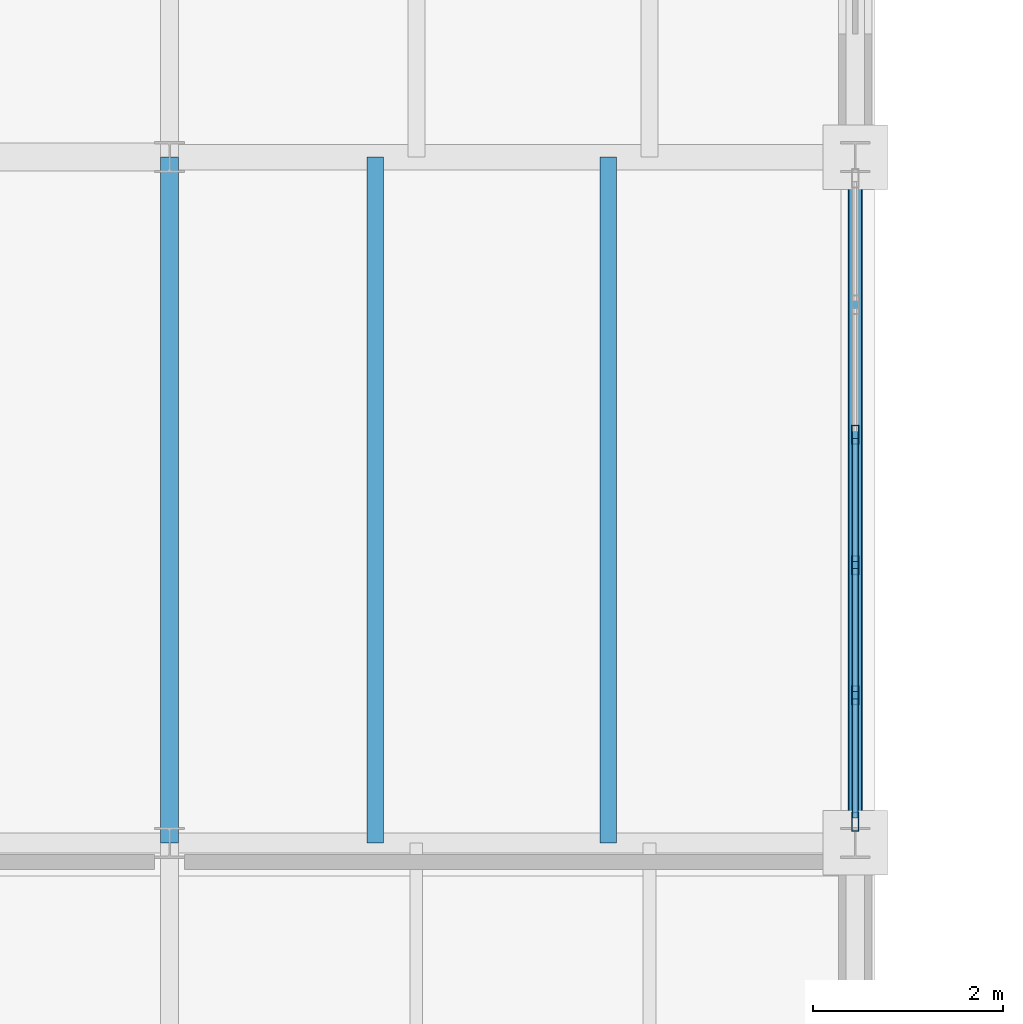
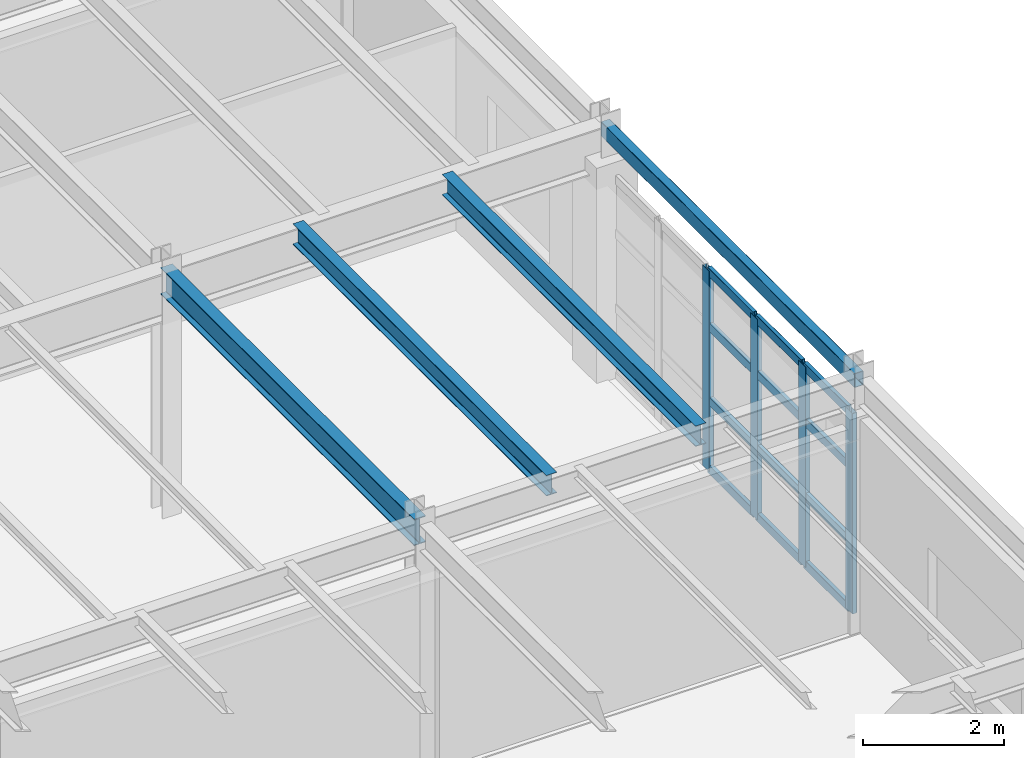
# One storey, part 37 of 137: 16 members, 4 beams, 1 element without a shape of its own.
"""IFC4 building model written with IfcOpenShell, lengths in metres."""

from ifc_helpers import new_model, si_unit, direction, frame, origin, origin_2d, place, context, subcontext, project, spatial, hollow_rectangle, i_section, extrude, material, layer, layer_set, material_profile, profile_set, type_object, element, aggregate, save


model = new_model("IFC4")

# Units and contexts
model_context = context("Model", 3, precision=1e-05, world=origin(), true_north=direction((0.0, 1.0)))
body_context = subcontext(model_context, "Body", "Model", "MODEL_VIEW")
ifc_project = project(units=[si_unit("LENGTHUNIT", "METRE"), si_unit("AREAUNIT", "SQUARE_METRE"), si_unit("VOLUMEUNIT", "CUBIC_METRE"), si_unit("PLANEANGLEUNIT", "RADIAN"), si_unit("MASSUNIT", "GRAM", prefix="KILO")], contexts=[model_context])

# Site, building, storey
site_placement = place(None, origin())
site = spatial("IfcSite", under=ifc_project, at=site_placement, CompositionType="ELEMENT")
building_placement = place(site_placement, origin())
building = spatial("IfcBuilding", under=site, at=building_placement, Name="Kemerveld Promenade Tramway Depot", CompositionType="ELEMENT")
storey_placement = place(building_placement, frame((0.0, 0.0, 5.39990234375)))
storey = spatial("IfcBuildingStorey", under=building, at=storey_placement, Name="L01", CompositionType="ELEMENT", Elevation=5.39990234375)

# Beams
ifc_material_1 = material(Name="Steel S355", Category="steel")
ifc_material_profile_1 = material_profile(ifc_material_1, i_section(OverallWidth=0.19140625, OverallDepth=0.4599609375, WebThickness=0.010009765625, FlangeThickness=0.01611328125, FilletRadius=0.01025390625, at=origin_2d()), Name="457x191x82 UB")
ifc_profile_set_1 = profile_set([ifc_material_profile_1], Name="Steel S355")
beam_type_1 = type_object("IfcBeamType", Name="BM-G06", PredefinedType="BEAM", material=ifc_profile_set_1)
beam_1_placement = place(storey_placement, frame((50.39990234375, 43.199951171875, 4.030029296875), z_axis=(0.0, 1.0, 0.0), x_axis=(-1.0, 0.0, 0.0)))
element("IfcBeam", 1, at=beam_1_placement, inside=storey, type_object=beam_type_1, Name="BMY-L01-08-G-H", PredefinedType="BEAM", context=body_context, shape_type="SweptSolid", body=[
    extrude(i_section(OverallWidth=0.19140625, OverallDepth=0.4599609375, WebThickness=0.010009765625, FlangeThickness=0.01611328125, FilletRadius=0.01025390625, at=origin_2d()), origin(), (0.0, 0.0, 1.0), 7.199951171875),
])
ifc_material_profile_2 = material_profile(ifc_material_1, i_section(OverallWidth=0.172119140625, OverallDepth=0.35791015625, WebThickness=0.008056640625, FlangeThickness=0.012939453125, FilletRadius=0.01025390625, at=origin_2d()), Name="356x171x57 UB")
ifc_profile_set_2 = profile_set([ifc_material_profile_2], Name="Steel S355")
beam_type_2 = type_object("IfcBeamType", Name="BM-J04", PredefinedType="JOIST", material=ifc_profile_set_2)
for number, where, z_axis, x_axis, name in (
    (2, (52.56005859375, 43.199951171875, 4.0810546875), (0.0, 1.0, 0.0), (-1.0, 0.0, 0.0), "JST-L01-08-G-1"),
    (3, (55.008056640625, 43.199951171875, 4.0810546875), (0.0, 1.0, 0.0), (-1.0, 0.0, 0.0), "JST-L01-08-G-2"),
):
    element("IfcBeam", number, at=place(storey_placement, frame(where, z_axis=z_axis, x_axis=x_axis)), inside=storey, type_object=beam_type_2, Name=name, PredefinedType="JOIST", context=body_context, shape_type="SweptSolid", body=[
        extrude(i_section(OverallWidth=0.172119140625, OverallDepth=0.35791015625, WebThickness=0.008056640625, FlangeThickness=0.012939453125, FilletRadius=0.01025390625, at=origin_2d()), origin(), (0.0, 0.0, 1.0), 7.199951171875),
    ])
ifc_material_profile_3 = material_profile(ifc_material_1, hollow_rectangle(XDim=0.14990234375, YDim=0.25, WallThickness=0.010009765625, InnerFilletRadius=0.0048828125, OuterFilletRadius=0.014892578125, at=origin_2d()), Name="250x150x10.0 RHS")
ifc_profile_set_3 = profile_set([ifc_material_profile_3], Name="Steel S355")
beam_type_3 = type_object("IfcBeamType", Name="BM-SP2", PredefinedType="SPANDREL", material=ifc_profile_set_3)
beam_2_placement = place(storey_placement, frame((57.60009765625, 43.199951171875, 4.135009765625), z_axis=(0.0, 1.0, 0.0), x_axis=(-1.0, 0.0, 0.0)))
element("IfcBeam", 4, at=beam_2_placement, inside=storey, type_object=beam_type_3, Name="BMY-L01-09-G-H", PredefinedType="SPANDREL", context=body_context, shape_type="SweptSolid", body=[
    extrude(hollow_rectangle(XDim=0.14990234375, YDim=0.25, WallThickness=0.010009765625, InnerFilletRadius=0.0048828125, OuterFilletRadius=0.014892578125, at=origin_2d()), origin(), (0.0, 0.0, 1.0), 7.199951171875),
])

# Curtain wall, members
ifc_material_2 = material(Name="Bronze anodised aluminium and solar glass", Category="aluminium")
ifc_layer = layer(ifc_material_2, 0.199951171875)
ifc_layer_set = layer_set([ifc_layer], Name="CW-SYS-08")
curtain_wall_type = type_object("IfcCurtainWallType", Name="CW-SYS-08", PredefinedType="USERDEFINED", material=ifc_layer_set)
curtain_wall_placement = place(storey_placement, origin())
curtain_wall = element("IfcCurtainWall", 5, at=curtain_wall_placement, inside=storey, type_object=curtain_wall_type, Name="CW-L01-V5E-05", ObjectType="GLAZED_CURTAIN_WALL", PredefinedType="USERDEFINED")
ifc_material_3 = material(Name="Bronze anodised aluminium", Category="aluminium")
ifc_material_profile_4 = material_profile(ifc_material_3, hollow_rectangle(XDim=0.074951171875, YDim=0.199951171875, WallThickness=0.0048828125, InnerFilletRadius=0.001953125, OuterFilletRadius=0.0048828125, at=origin_2d()), Name="CW-MUL-200x75")
ifc_profile_set_4 = profile_set([ifc_material_profile_4], Name="Bronze anodised aluminium")
member_type_1 = type_object("IfcMemberType", Name="CW-MUL-B", PredefinedType="MULLION", material=ifc_profile_set_4)
member_1_placement = place(storey_placement, frame((57.60009765625, 47.4833984375, 0.0), z_axis=(0.0, 0.0, 1.0), x_axis=(1.0, 0.0, 0.0)))
member_1 = element("IfcMember", 6, at=member_1_placement, type_object=member_type_1, Name="CW08 mullion 3", PredefinedType="MULLION", context=body_context, shape_type="SweptSolid", body=[
    extrude(hollow_rectangle(XDim=0.074951171875, YDim=0.199951171875, WallThickness=0.0048828125, InnerFilletRadius=0.001953125, OuterFilletRadius=0.0048828125, at=origin_2d()), origin(), (0.0, 0.0, 1.0), 3.477783203125),
])
member_2_placement = place(storey_placement, frame((57.60009765625, 46.11669921875, 0.0), z_axis=(0.0, 0.0, 1.0), x_axis=(1.0, 0.0, 0.0)))
member_2 = element("IfcMember", 7, at=member_2_placement, type_object=member_type_1, Name="CW08 mullion 4", PredefinedType="MULLION", context=body_context, shape_type="SweptSolid", body=[
    extrude(hollow_rectangle(XDim=0.074951171875, YDim=0.199951171875, WallThickness=0.0048828125, InnerFilletRadius=0.001953125, OuterFilletRadius=0.0048828125, at=origin_2d()), origin(), (0.0, 0.0, 1.0), 3.477783203125),
])
member_3_placement = place(storey_placement, frame((57.60009765625, 44.75, 0.0), z_axis=(0.0, 0.0, 1.0), x_axis=(1.0, 0.0, 0.0)))
member_3 = element("IfcMember", 8, at=member_3_placement, type_object=member_type_1, Name="CW08 mullion 5", PredefinedType="MULLION", context=body_context, shape_type="SweptSolid", body=[
    extrude(hollow_rectangle(XDim=0.074951171875, YDim=0.199951171875, WallThickness=0.0048828125, InnerFilletRadius=0.001953125, OuterFilletRadius=0.0048828125, at=origin_2d()), origin(), (0.0, 0.0, 1.0), 3.477783203125),
])
member_4_placement = place(storey_placement, frame((57.60009765625, 43.4208984375, 0.0), z_axis=(0.0, 0.0, 1.0), x_axis=(1.0, 0.0, 0.0)))
member_4 = element("IfcMember", 9, at=member_4_placement, type_object=member_type_1, Name="CW08 mullion 6", PredefinedType="MULLION", context=body_context, shape_type="SweptSolid", body=[
    extrude(hollow_rectangle(XDim=0.074951171875, YDim=0.199951171875, WallThickness=0.0048828125, InnerFilletRadius=0.001953125, OuterFilletRadius=0.0048828125, at=origin_2d()), origin(), (0.0, 0.0, 1.0), 3.477783203125),
])
ifc_material_profile_5 = material_profile(ifc_material_3, hollow_rectangle(XDim=0.06494140625, YDim=0.14990234375, WallThickness=0.00439453125, InnerFilletRadius=0.001953125, OuterFilletRadius=0.00439453125, at=origin_2d()), Name="CW-TRN-150x65")
ifc_profile_set_5 = profile_set([ifc_material_profile_5], Name="Bronze anodised aluminium")
member_type_2 = type_object("IfcMemberType", Name="CW-TRN-B", PredefinedType="USERDEFINED", material=ifc_profile_set_5)
member_5_placement = place(storey_placement, frame((57.60009765625, 47.44580078125, 0.03271484375), z_axis=(0.0, -1.0, 0.0), x_axis=(1.0, 0.0, 0.0)))
member_5 = element("IfcMember", 10, at=member_5_placement, type_object=member_type_2, Name="CW08 transom 3.1", ObjectType="TRANSOM", PredefinedType="USERDEFINED", context=body_context, shape_type="SweptSolid", body=[
    extrude(hollow_rectangle(XDim=0.06494140625, YDim=0.14990234375, WallThickness=0.00439453125, InnerFilletRadius=0.001953125, OuterFilletRadius=0.00439453125, at=origin_2d()), origin(), (0.0, 0.0, 1.0), 1.29150390625),
])
member_6_placement = place(storey_placement, frame((57.60009765625, 47.44580078125, 1.217041015625), z_axis=(0.0, -1.0, 0.0), x_axis=(1.0, 0.0, 0.0)))
member_6 = element("IfcMember", 11, at=member_6_placement, type_object=member_type_2, Name="CW08 transom 3.2", ObjectType="TRANSOM", PredefinedType="USERDEFINED", context=body_context, shape_type="SweptSolid", body=[
    extrude(hollow_rectangle(XDim=0.06494140625, YDim=0.14990234375, WallThickness=0.00439453125, InnerFilletRadius=0.001953125, OuterFilletRadius=0.00439453125, at=origin_2d()), origin(), (0.0, 0.0, 1.0), 1.29150390625),
])
member_7_placement = place(storey_placement, frame((57.60009765625, 47.44580078125, 2.504150390625), z_axis=(0.0, -1.0, 0.0), x_axis=(1.0, 0.0, 0.0)))
member_7 = element("IfcMember", 12, at=member_7_placement, type_object=member_type_2, Name="CW08 transom 3.3", ObjectType="TRANSOM", PredefinedType="USERDEFINED", context=body_context, shape_type="SweptSolid", body=[
    extrude(hollow_rectangle(XDim=0.06494140625, YDim=0.14990234375, WallThickness=0.00439453125, InnerFilletRadius=0.001953125, OuterFilletRadius=0.00439453125, at=origin_2d()), origin(), (0.0, 0.0, 1.0), 1.29150390625),
])
member_8_placement = place(storey_placement, frame((57.60009765625, 47.44580078125, 3.4453125), z_axis=(0.0, -1.0, 0.0), x_axis=(1.0, 0.0, 0.0)))
member_8 = element("IfcMember", 13, at=member_8_placement, type_object=member_type_2, Name="CW08 transom 3.4", ObjectType="TRANSOM", PredefinedType="USERDEFINED", context=body_context, shape_type="SweptSolid", body=[
    extrude(hollow_rectangle(XDim=0.06494140625, YDim=0.14990234375, WallThickness=0.00439453125, InnerFilletRadius=0.001953125, OuterFilletRadius=0.00439453125, at=origin_2d()), origin(), (0.0, 0.0, 1.0), 1.29150390625),
])
member_9_placement = place(storey_placement, frame((57.60009765625, 46.0791015625, 0.03271484375), z_axis=(0.0, -1.0, 0.0), x_axis=(1.0, 0.0, 0.0)))
member_9 = element("IfcMember", 14, at=member_9_placement, type_object=member_type_2, Name="CW08 transom 4.1", ObjectType="TRANSOM", PredefinedType="USERDEFINED", context=body_context, shape_type="SweptSolid", body=[
    extrude(hollow_rectangle(XDim=0.06494140625, YDim=0.14990234375, WallThickness=0.00439453125, InnerFilletRadius=0.001953125, OuterFilletRadius=0.00439453125, at=origin_2d()), origin(), (0.0, 0.0, 1.0), 1.29150390625),
])
member_10_placement = place(storey_placement, frame((57.60009765625, 46.0791015625, 1.217041015625), z_axis=(0.0, -1.0, 0.0), x_axis=(1.0, 0.0, 0.0)))
member_10 = element("IfcMember", 15, at=member_10_placement, type_object=member_type_2, Name="CW08 transom 4.2", ObjectType="TRANSOM", PredefinedType="USERDEFINED", context=body_context, shape_type="SweptSolid", body=[
    extrude(hollow_rectangle(XDim=0.06494140625, YDim=0.14990234375, WallThickness=0.00439453125, InnerFilletRadius=0.001953125, OuterFilletRadius=0.00439453125, at=origin_2d()), origin(), (0.0, 0.0, 1.0), 1.29150390625),
])
member_11_placement = place(storey_placement, frame((57.60009765625, 46.0791015625, 2.504150390625), z_axis=(0.0, -1.0, 0.0), x_axis=(1.0, 0.0, 0.0)))
member_11 = element("IfcMember", 16, at=member_11_placement, type_object=member_type_2, Name="CW08 transom 4.3", ObjectType="TRANSOM", PredefinedType="USERDEFINED", context=body_context, shape_type="SweptSolid", body=[
    extrude(hollow_rectangle(XDim=0.06494140625, YDim=0.14990234375, WallThickness=0.00439453125, InnerFilletRadius=0.001953125, OuterFilletRadius=0.00439453125, at=origin_2d()), origin(), (0.0, 0.0, 1.0), 1.29150390625),
])
member_12_placement = place(storey_placement, frame((57.60009765625, 46.0791015625, 3.4453125), z_axis=(0.0, -1.0, 0.0), x_axis=(1.0, 0.0, 0.0)))
member_12 = element("IfcMember", 17, at=member_12_placement, type_object=member_type_2, Name="CW08 transom 4.4", ObjectType="TRANSOM", PredefinedType="USERDEFINED", context=body_context, shape_type="SweptSolid", body=[
    extrude(hollow_rectangle(XDim=0.06494140625, YDim=0.14990234375, WallThickness=0.00439453125, InnerFilletRadius=0.001953125, OuterFilletRadius=0.00439453125, at=origin_2d()), origin(), (0.0, 0.0, 1.0), 1.29150390625),
])
member_13_placement = place(storey_placement, frame((57.60009765625, 44.712646484375, 0.03271484375), z_axis=(0.0, -1.0, 0.0), x_axis=(1.0, 0.0, 0.0)))
member_13 = element("IfcMember", 18, at=member_13_placement, type_object=member_type_2, Name="CW08 transom 5.1", ObjectType="TRANSOM", PredefinedType="USERDEFINED", context=body_context, shape_type="SweptSolid", body=[
    extrude(hollow_rectangle(XDim=0.06494140625, YDim=0.14990234375, WallThickness=0.00439453125, InnerFilletRadius=0.001953125, OuterFilletRadius=0.00439453125, at=origin_2d()), origin(), (0.0, 0.0, 1.0), 1.254150390625),
])
member_14_placement = place(storey_placement, frame((57.60009765625, 44.712646484375, 1.217041015625), z_axis=(0.0, -1.0, 0.0), x_axis=(1.0, 0.0, 0.0)))
member_14 = element("IfcMember", 19, at=member_14_placement, type_object=member_type_2, Name="CW08 transom 5.2", ObjectType="TRANSOM", PredefinedType="USERDEFINED", context=body_context, shape_type="SweptSolid", body=[
    extrude(hollow_rectangle(XDim=0.06494140625, YDim=0.14990234375, WallThickness=0.00439453125, InnerFilletRadius=0.001953125, OuterFilletRadius=0.00439453125, at=origin_2d()), origin(), (0.0, 0.0, 1.0), 1.254150390625),
])
member_15_placement = place(storey_placement, frame((57.60009765625, 44.712646484375, 2.504150390625), z_axis=(0.0, -1.0, 0.0), x_axis=(1.0, 0.0, 0.0)))
member_15 = element("IfcMember", 20, at=member_15_placement, type_object=member_type_2, Name="CW08 transom 5.3", ObjectType="TRANSOM", PredefinedType="USERDEFINED", context=body_context, shape_type="SweptSolid", body=[
    extrude(hollow_rectangle(XDim=0.06494140625, YDim=0.14990234375, WallThickness=0.00439453125, InnerFilletRadius=0.001953125, OuterFilletRadius=0.00439453125, at=origin_2d()), origin(), (0.0, 0.0, 1.0), 1.254150390625),
])
member_16_placement = place(storey_placement, frame((57.60009765625, 44.712646484375, 3.4453125), z_axis=(0.0, -1.0, 0.0), x_axis=(1.0, 0.0, 0.0)))
member_16 = element("IfcMember", 21, at=member_16_placement, type_object=member_type_2, Name="CW08 transom 5.4", ObjectType="TRANSOM", PredefinedType="USERDEFINED", context=body_context, shape_type="SweptSolid", body=[
    extrude(hollow_rectangle(XDim=0.06494140625, YDim=0.14990234375, WallThickness=0.00439453125, InnerFilletRadius=0.001953125, OuterFilletRadius=0.00439453125, at=origin_2d()), origin(), (0.0, 0.0, 1.0), 1.254150390625),
])
aggregate(curtain_wall, [member_1, member_2, member_3, member_4, member_5, member_6, member_7, member_8, member_9, member_10, member_11, member_12, member_13, member_14, member_15, member_16])

save(model, "model.ifc")
